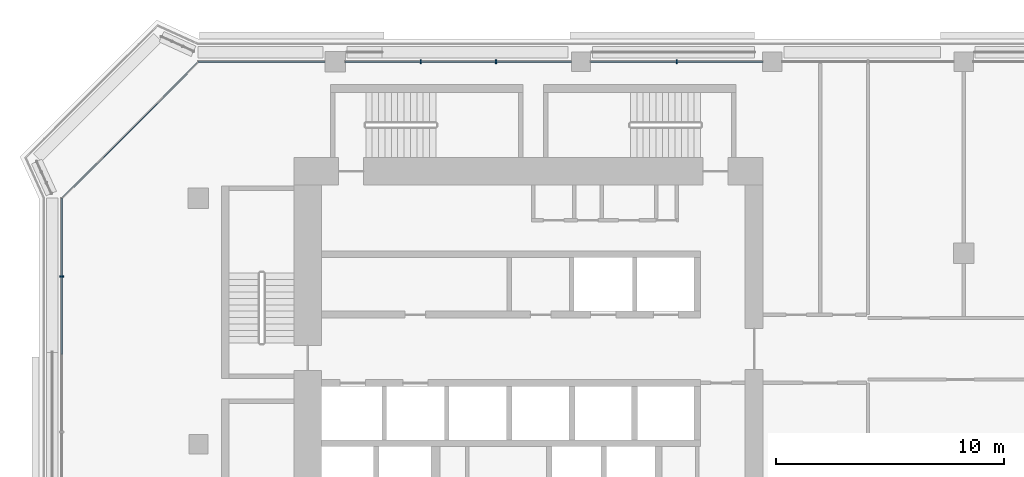
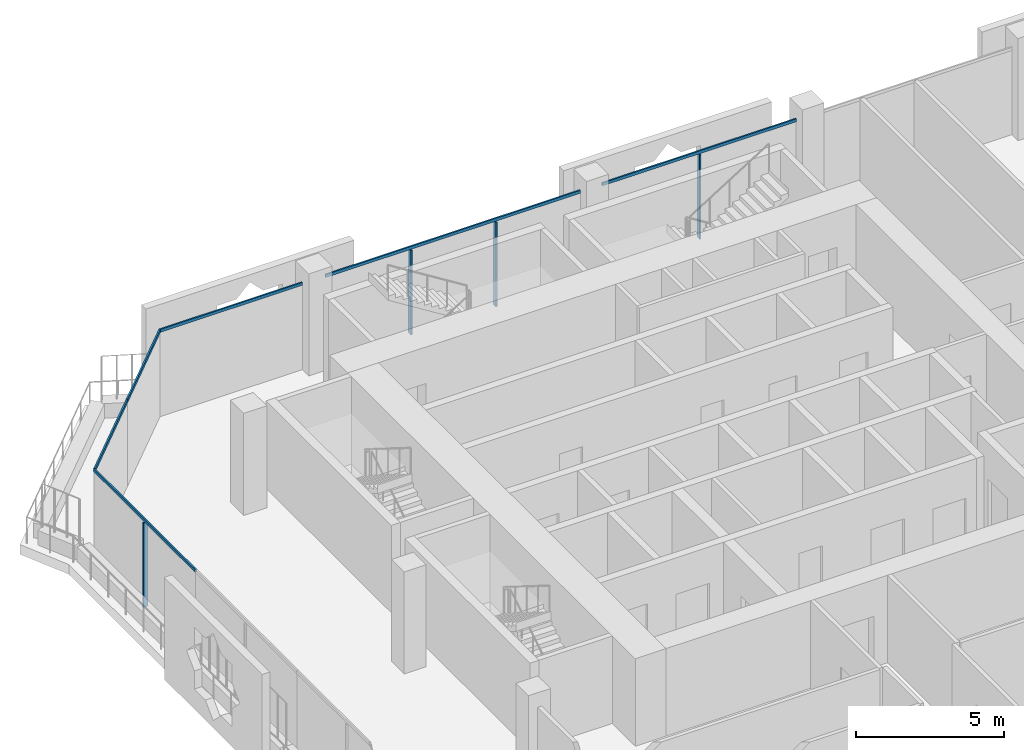
# One storey, part 5 of 22: 10 members, 3 elements without a shape of their own.
"""IFC4 building model written with IfcOpenShell, lengths in metres."""

from ifc_helpers import new_model, si_unit, direction, frame, origin, origin_2d, place, context, subcontext, project, spatial, rectangle, extrude, material, layer, layer_set, material_profile, profile_set, type_object, element, aggregate, save


model = new_model("IFC4")

# Units and contexts
model_context = context("Model", 3, precision=1e-05, world=origin(), true_north=direction((0.0, 1.0)))
body_context = subcontext(model_context, "Body", "Model", "MODEL_VIEW")
ifc_project = project(units=[si_unit("LENGTHUNIT", "METRE"), si_unit("AREAUNIT", "SQUARE_METRE"), si_unit("VOLUMEUNIT", "CUBIC_METRE"), si_unit("PLANEANGLEUNIT", "RADIAN"), si_unit("MASSUNIT", "GRAM", prefix="KILO")], contexts=[model_context])

# Site, building, storey
site_placement = place(None, origin())
site = spatial("IfcSite", under=ifc_project, at=site_placement, CompositionType="ELEMENT")
building_placement = place(site_placement, origin())
building = spatial("IfcBuilding", under=site, at=building_placement, Name="Kawkab Arch Medical Tower", CompositionType="ELEMENT")
storey_placement = place(building_placement, frame((0.0, 0.0, 255.800048828125)))
storey = spatial("IfcBuildingStorey", under=building, at=storey_placement, Name="L59", CompositionType="ELEMENT", Elevation=255.800048828125)

# Curtain wall, member
ifc_material_1 = material(Name="Bronze anodised aluminium curtain wall frame", Category="aluminium")
ifc_layer_1 = layer(ifc_material_1, 0.159912109375)
ifc_layer_set_1 = layer_set([ifc_layer_1], Name="Bronze anodised aluminium curtain wall frame")
curtain_wall_type_1 = type_object("IfcCurtainWallType", Name="CW1 ward curtain wall", PredefinedType="NOTDEFINED", material=ifc_layer_set_1)
placement = place(storey_placement, origin())
curtain_wall_1 = element("IfcCurtainWall", 1, at=placement, inside=storey, type_object=curtain_wall_type_1, Name="CW1 Ward curtain wall R01", PredefinedType="NOTDEFINED")
ifc_material_2 = material(Name="Bronze anodised aluminium curtain wall frame", Category="aluminium")
ifc_material_profile_1 = material_profile(ifc_material_2, rectangle(XDim=0.179931640625, YDim=0.06005859375, at=origin_2d()), Name="AL 60x180")
ifc_profile_set_1 = profile_set([ifc_material_profile_1], Name="Bronze anodised aluminium curtain wall frame")
member_type_1 = type_object("IfcMemberType", Name="CW1 mullion 60 x 180", PredefinedType="MULLION", material=ifc_profile_set_1)
member_1_placement = place(storey_placement, frame((-6.0, -9.419921875, 0.0), z_axis=(0.0, 0.0, 1.0), x_axis=(1.0, 0.0, 0.0)))
member_1 = element("IfcMember", 2, at=member_1_placement, type_object=member_type_1, Name="CW1 mullion 1.1", PredefinedType="MULLION", context=body_context, shape_type="SweptSolid", body=[
    extrude(rectangle(XDim=0.179931640625, YDim=0.06005859375, at=origin_2d()), origin(), (0.0, 0.0, 1.0), 3.47998046875),
])

# Curtain wall, members
curtain_wall_2 = element("IfcCurtainWall", 3, at=placement, inside=storey, type_object=curtain_wall_type_1, Name="CW1 Ward curtain wall R11", PredefinedType="NOTDEFINED")
member_2_placement = place(storey_placement, frame((21.0, 0.0, 0.0), z_axis=(0.0, 0.0, 1.0), x_axis=(0.0, -1.0, 0.0)))
member_2 = element("IfcMember", 4, at=member_2_placement, type_object=member_type_1, Name="CW1 mullion 5.1", PredefinedType="MULLION", context=body_context, shape_type="SweptSolid", body=[
    extrude(rectangle(XDim=0.179931640625, YDim=0.06005859375, at=origin_2d()), origin(), (0.0, 0.0, 1.0), 3.47998046875),
])
member_3_placement = place(storey_placement, frame((13.066650390625, 0.0, 0.0), z_axis=(0.0, 0.0, 1.0), x_axis=(0.0, -1.0, 0.0)))
member_3 = element("IfcMember", 5, at=member_3_placement, type_object=member_type_1, Name="CW1 mullion 6.1", PredefinedType="MULLION", context=body_context, shape_type="SweptSolid", body=[
    extrude(rectangle(XDim=0.179931640625, YDim=0.06005859375, at=origin_2d()), origin(), (0.0, 0.0, 1.0), 3.47998046875),
])
member_4_placement = place(storey_placement, frame((9.75830078125, 0.0, 0.0), z_axis=(0.0, 0.0, 1.0), x_axis=(0.0, -1.0, 0.0)))
member_4 = element("IfcMember", 6, at=member_4_placement, type_object=member_type_1, Name="CW1 mullion 6.2", PredefinedType="MULLION", context=body_context, shape_type="SweptSolid", body=[
    extrude(rectangle(XDim=0.179931640625, YDim=0.06005859375, at=origin_2d()), origin(), (0.0, 0.0, 1.0), 3.47998046875),
])

# Member
ifc_material_3 = material(Name="Bronze anodised aluminium curtain wall frame", Category="aluminium")
ifc_material_profile_2 = material_profile(ifc_material_3, rectangle(XDim=0.06005859375, YDim=0.1201171875, at=origin_2d()), Name="AL 60x120")
ifc_profile_set_2 = profile_set([ifc_material_profile_2], Name="Bronze anodised aluminium curtain wall frame")
member_type_2 = type_object("IfcMemberType", Name="CW1 transom 120 x 60", PredefinedType="USERDEFINED", material=ifc_profile_set_2)
member_5_placement = place(storey_placement, frame((-6.0, -6.0, 3.5400390625), z_axis=(0.0, -1.0, 0.0), x_axis=(1.0, 0.0, 0.0)))
member_5 = element("IfcMember", 7, at=member_5_placement, type_object=member_type_2, Name="CW1 transom 1", ObjectType="TRANSOM", PredefinedType="USERDEFINED", context=body_context, shape_type="SweptSolid", body=[
    extrude(rectangle(XDim=0.06005859375, YDim=0.1201171875, at=origin_2d()), origin(), (0.0, 0.0, 1.0), 6.840087890625),
])

aggregate(curtain_wall_1, [member_5, member_1])

member_6_placement = place(storey_placement, frame((24.77490234375, 0.0, 3.5400390625), z_axis=(-1.0, 0.0, 0.0), x_axis=(0.0, -1.0, 0.0)))
member_6 = element("IfcMember", 8, at=member_6_placement, type_object=member_type_2, Name="CW1 transom 5", ObjectType="TRANSOM", PredefinedType="USERDEFINED", context=body_context, shape_type="SweptSolid", body=[
    extrude(rectangle(XDim=0.06005859375, YDim=0.1201171875, at=origin_2d()), origin(), (0.0, 0.0, 1.0), 7.5498046875),
])

member_7_placement = place(storey_placement, frame((16.375, 0.0, 3.5400390625), z_axis=(-1.0, 0.0, 0.0), x_axis=(0.0, -1.0, 0.0)))
member_7 = element("IfcMember", 9, at=member_7_placement, type_object=member_type_2, Name="CW1 transom 6", ObjectType="TRANSOM", PredefinedType="USERDEFINED", context=body_context, shape_type="SweptSolid", body=[
    extrude(rectangle(XDim=0.06005859375, YDim=0.1201171875, at=origin_2d()), origin(), (0.0, 0.0, 1.0), 9.925048828125),
])

member_8_placement = place(storey_placement, frame((5.550048828125, 0.0, 3.5400390625), z_axis=(-1.0, 0.0, 0.0), x_axis=(0.0, -1.0, 0.0)))
member_8 = element("IfcMember", 10, at=member_8_placement, type_object=member_type_2, Name="CW1 transom 7", ObjectType="TRANSOM", PredefinedType="USERDEFINED", context=body_context, shape_type="SweptSolid", body=[
    extrude(rectangle(XDim=0.06005859375, YDim=0.1201171875, at=origin_2d()), origin(), (0.0, 0.0, 1.0), 5.550048828125),
])

aggregate(curtain_wall_2, [member_6, member_2, member_7, member_3, member_4, member_8])

# Curtain wall, members
ifc_material_4 = material(Name="Bronze anodised aluminium curtain wall frame", Category="aluminium")
ifc_layer_2 = layer(ifc_material_4, 0.159912109375)
ifc_layer_set_2 = layer_set([ifc_layer_2], Name="Bronze anodised aluminium curtain wall frame")
curtain_wall_type_2 = type_object("IfcCurtainWallType", Name="CW2 chamfer curtain wall", PredefinedType="NOTDEFINED", material=ifc_layer_set_2)
curtain_wall_3 = element("IfcCurtainWall", 11, at=placement, inside=storey, type_object=curtain_wall_type_2, Name="CW2 Chamfer curtain wall R12", PredefinedType="NOTDEFINED")
ifc_material_5 = material(Name="Bronze anodised aluminium curtain wall frame", Category="aluminium")
ifc_material_profile_3 = material_profile(ifc_material_5, rectangle(XDim=0.06005859375, YDim=0.139892578125, at=origin_2d()), Name="AL 60x140")
ifc_profile_set_3 = profile_set([ifc_material_profile_3], Name="Bronze anodised aluminium curtain wall frame")
member_type_3 = type_object("IfcMemberType", Name="CW2 transom 140 x 60", PredefinedType="USERDEFINED", material=ifc_profile_set_3)
member_9_placement = place(storey_placement, frame((0.0, 0.0, 3.530029296875), z_axis=(-0.707106781187, -0.707106781187, 0.0), x_axis=(0.707106781187, -0.707106781187, 0.0)))
member_9 = element("IfcMember", 12, at=member_9_placement, type_object=member_type_3, Name="CW2 transom 1", ObjectType="TRANSOM", PredefinedType="USERDEFINED", context=body_context, shape_type="SweptSolid", body=[
    extrude(rectangle(XDim=0.06005859375, YDim=0.139892578125, at=origin_2d()), origin(), (0.0, 0.0, 1.0), 4.24267578125),
])
member_10_placement = place(storey_placement, frame((-3.0, -3.0, 3.530029296875), z_axis=(-0.707106781187, -0.707106781187, 0.0), x_axis=(0.707106781187, -0.707106781187, 0.0)))
member_10 = element("IfcMember", 13, at=member_10_placement, type_object=member_type_3, Name="CW2 transom 2", ObjectType="TRANSOM", PredefinedType="USERDEFINED", context=body_context, shape_type="SweptSolid", body=[
    extrude(rectangle(XDim=0.06005859375, YDim=0.139892578125, at=origin_2d()), origin(), (0.0, 0.0, 1.0), 4.24267578125),
])
aggregate(curtain_wall_3, [member_9, member_10])

save(model, "model.ifc")
